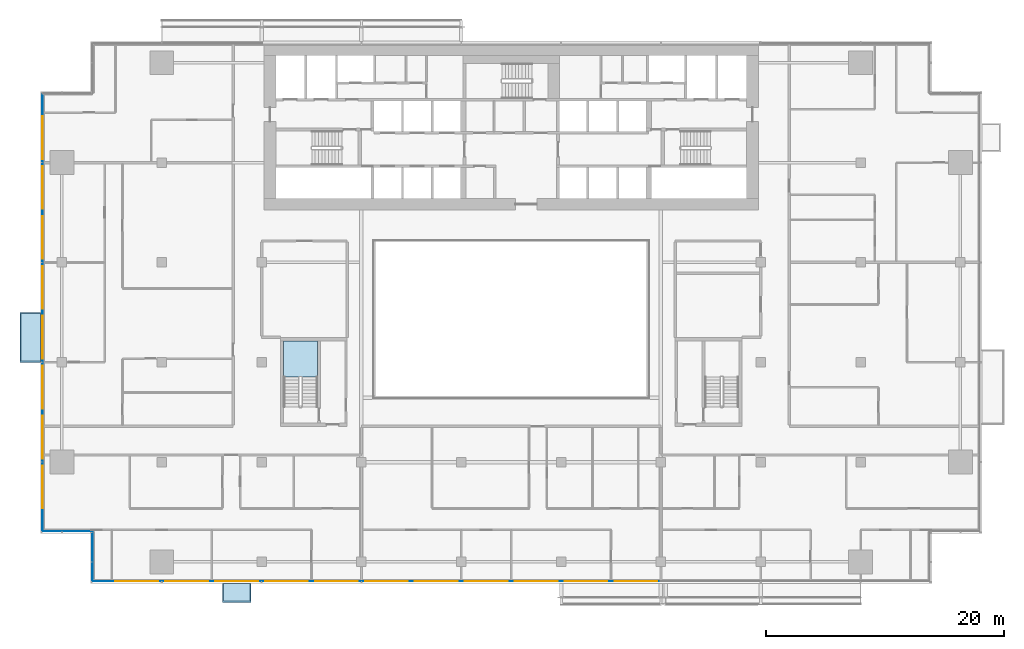
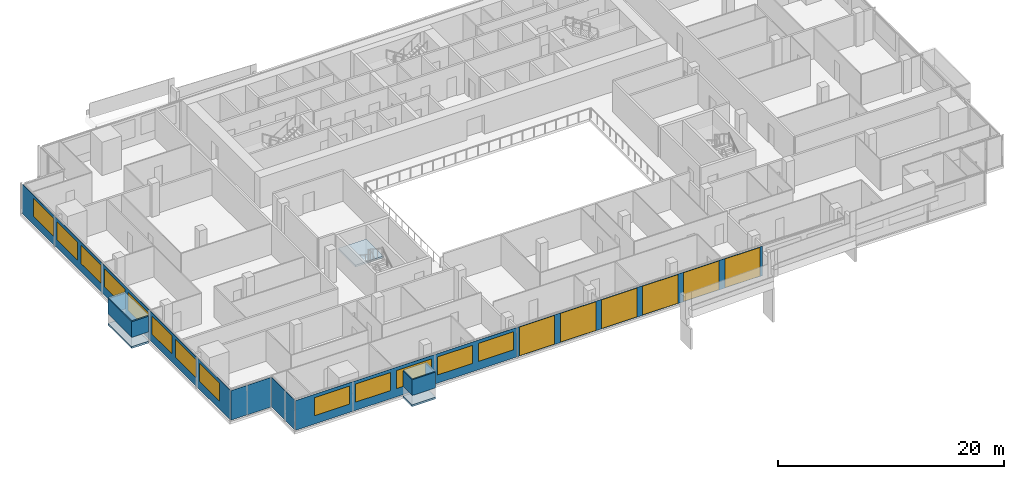
# One storey, part 14 of 27: 19 windows, 9 plates, 3 slabs, 19 openings, 5 elements without a shape of their own.
"""IFC4 building model written with IfcOpenShell, lengths in metres."""

import ifcopenshell
import ifcopenshell.guid

model = None  # the IFC model being written
_history = None  # IfcOwnerHistory: only IFC2X3 demands one
_inside = {}  # id of a spatial element -> (the spatial element, [elements in it])
_under = {}  # id of a project, library or spatial element -> (it, [spatial elements below it])
_declared = {}  # id of a project -> (the project, [libraries it declares])
_typed = {}  # id of a type object -> (the type object, [elements of that type])
_made_of = {}  # id of a material, layer set ... -> (it, [elements and type objects made of it])


def new_model(schema):
    """Start an empty IFC model of exactly this schema.

    Asked for "IFC4X3", IfcOpenShell would pick the latest addendum, in which some entities
    have other attributes; the version numbers below select the first issue.
    IFC2X3 requires an IfcOwnerHistory on every rooted entity: one is made here for all.
    """
    global model, _history
    if schema == "IFC4X3":
        model = ifcopenshell.file(schema_version=(4, 3, 0, 0))
    else:
        model = ifcopenshell.file(schema=schema)
    _inside.clear()
    _under.clear()
    _declared.clear()
    _typed.clear()
    _made_of.clear()
    _history = None
    if model.schema == "IFC2X3":
        org = make("IfcOrganization", Name="unknown")
        user = make(
            "IfcPersonAndOrganization",
            ThePerson=make("IfcPerson", FamilyName="unknown"),
            TheOrganization=org,
        )
        app = make(
            "IfcApplication",
            ApplicationDeveloper=org,
            Version="unknown",
            ApplicationFullName="unknown",
            ApplicationIdentifier="unknown",
        )
        _history = make(
            "IfcOwnerHistory",
            OwningUser=user,
            OwningApplication=app,
            ChangeAction="ADDED",
            CreationDate=0,
        )
    return model


def make(cls, **values):
    """One entity of the class cls with the attributes given. An attribute that is None is left unset."""
    return model.create_entity(
        cls, **{name: value for name, value in values.items() if value is not None}
    )


def rooted(cls, **values):
    """An entity with a GlobalId (a new one), such as an element, a storey or a relation."""
    return make(cls, GlobalId=ifcopenshell.guid.new(), OwnerHistory=_history, **values)


def si_unit(unit_type, name, prefix=None):
    """IfcSIUnit, for example si_unit("LENGTHUNIT", "METRE", prefix="MILLI")."""
    return make("IfcSIUnit", UnitType=unit_type, Prefix=prefix, Name=name)


def assignment(units):
    """IfcUnitAssignment: the units of a project."""
    return None if units is None else make("IfcUnitAssignment", Units=units)


def point(xyz):
    """IfcCartesianPoint."""
    return None if xyz is None else make("IfcCartesianPoint", Coordinates=xyz)


def direction(xyz):
    """IfcDirection."""
    return None if xyz is None else make("IfcDirection", DirectionRatios=xyz)


def frame(location, z_axis=None, x_axis=None):
    """IfcAxis2Placement3D, a coordinate frame: its origin and axes. An axis left out is left unset."""
    return make(
        "IfcAxis2Placement3D",
        Location=point(location),
        Axis=direction(z_axis),
        RefDirection=direction(x_axis),
    )


def frame_2d(location, x_axis=None):
    """IfcAxis2Placement2D, a coordinate frame in the plane: its origin and x axis."""
    return make(
        "IfcAxis2Placement2D", Location=point(location), RefDirection=direction(x_axis)
    )


def origin():
    """The frame at (0, 0, 0) with its axes left unset."""
    return frame((0.0, 0.0, 0.0))


def place(relative_to, where):
    """IfcLocalPlacement: puts the frame where relative to a parent placement (None: the world)."""
    return make(
        "IfcLocalPlacement", PlacementRelTo=relative_to, RelativePlacement=where
    )


def context(
    kind, dimensions, precision=None, world=None, true_north=None, identifier=None
):
    """IfcGeometricRepresentationContext, for example the 3D "Model" context."""
    return make(
        "IfcGeometricRepresentationContext",
        ContextIdentifier=identifier,
        ContextType=kind,
        CoordinateSpaceDimension=dimensions,
        Precision=precision,
        WorldCoordinateSystem=world,
        TrueNorth=true_north,
    )


def subcontext(parent, identifier, kind, view, scale=None):
    """IfcGeometricRepresentationSubContext, for example "Body" below "Model"."""
    return make(
        "IfcGeometricRepresentationSubContext",
        ContextIdentifier=identifier,
        ContextType=kind,
        ParentContext=parent,
        TargetScale=scale,
        TargetView=view,
    )


def project(units=None, contexts=None):
    """IfcProject with its units and contexts."""
    return rooted(
        "IfcProject",
        Name="project",
        RepresentationContexts=contexts,
        UnitsInContext=assignment(units),
    )


def spatial(cls, under=None, at=None, **own):
    """A site, building, storey or space (cls), placed at a placement, below another one or the project."""
    s = rooted(cls, ObjectPlacement=at, **own)
    if under is not None:
        _under.setdefault(under.id(), (under, []))[1].append(s)
    return s


def polyline(points):
    """IfcPolyline through the points."""
    return make("IfcPolyline", Points=[point(p) for p in points])


def profile(cls, at=None, kind="AREA", **sizes):
    """A parametric profile (cls). Its sizes go by their IFC names, for example OverallWidth=200.0."""
    return make(cls, ProfileType=kind, Position=at, **sizes)


def rectangle(**sizes):
    """IfcRectangleProfileDef."""
    return profile("IfcRectangleProfileDef", **sizes)


def outline(outer, holes=None, kind="AREA"):
    """IfcArbitraryClosedProfileDef: a profile drawn as a closed curve; with holes, ...WithVoids."""
    if holes is None:
        return make("IfcArbitraryClosedProfileDef", ProfileType=kind, OuterCurve=outer)
    return make(
        "IfcArbitraryProfileDefWithVoids",
        ProfileType=kind,
        OuterCurve=outer,
        InnerCurves=holes,
    )


def extrude(swept, where, along, depth):
    """IfcExtrudedAreaSolid: the profile swept, set in the frame where, extruded along a direction by depth."""
    return make(
        "IfcExtrudedAreaSolid",
        SweptArea=swept,
        Position=where,
        ExtrudedDirection=direction(along),
        Depth=depth,
    )


def shape(context_of_items, identifier, shape_type, items):
    """IfcShapeRepresentation: the items that make up one representation, for example the "Body"."""
    return make(
        "IfcShapeRepresentation",
        ContextOfItems=context_of_items,
        RepresentationIdentifier=identifier,
        RepresentationType=shape_type,
        Items=items,
    )


def material(Name=None, Category=None):
    """IfcMaterial."""
    return make("IfcMaterial", Name=Name, Category=Category)


def layer(
    of_material, thickness, ventilated=None, Name=None, Category=None, Priority=None
):
    """IfcMaterialLayer: one layer of a wall or slab, of a material (None: an air gap)."""
    return make(
        "IfcMaterialLayer",
        Material=of_material,
        LayerThickness=thickness,
        IsVentilated=ventilated,
        Name=Name,
        Category=Category,
        Priority=Priority,
    )


def layer_set(layers, Name=None):
    """IfcMaterialLayerSet."""
    return make("IfcMaterialLayerSet", MaterialLayers=layers, LayerSetName=Name)


def made_of(thing, what):
    """Note that an element or type object is made of a material, layer set ...; save() writes the relation."""
    if what is not None:
        _made_of.setdefault(what.id(), (what, []))[1].append(thing)
    return thing


def type_object(cls, material=None, **own):
    """A type object (cls), such as IfcWallType, which elements share."""
    return made_of(rooted(cls, **own), material)


def element(
    cls,
    number,
    at=None,
    inside=None,
    cuts=None,
    type_object=None,
    material=None,
    context=None,
    identifier="Body",
    shape_type=None,
    held_by="IfcProductDefinitionShape",
    body=None,
    shapes=None,
    **own,
):
    """One element of the class cls, such as IfcWall. Its Tag is "e" and its number.

    at: its placement. inside: the storey or other place that contains it. cuts: it is an
    opening in that element (IfcRelVoidsElement). A single representation is given by context,
    identifier, shape_type and body (its items); several are given by shapes. held_by: the class
    of the entity that holds the representations. save() writes the other relations.
    """
    e = rooted(cls, Tag="e%d" % number, ObjectPlacement=at, **own)
    if body is not None:
        shapes = [shape(context, identifier, shape_type, body)]
    if shapes is not None:
        e.Representation = make(held_by, Representations=shapes)
    if inside is not None:
        _inside.setdefault(inside.id(), (inside, []))[1].append(e)
    if cuts is not None:
        rooted(
            "IfcRelVoidsElement", RelatingBuildingElement=cuts, RelatedOpeningElement=e
        )
    if type_object is not None:
        _typed.setdefault(type_object.id(), (type_object, []))[1].append(e)
    return made_of(e, material)


def fill(opening, filler):
    """IfcRelFillsElement: the door or window that sits in an opening."""
    return rooted(
        "IfcRelFillsElement",
        RelatingOpeningElement=opening,
        RelatedBuildingElement=filler,
    )


def aggregate(whole, parts):
    """IfcRelAggregates: a whole, such as a stair, and the parts it consists of."""
    return rooted("IfcRelAggregates", RelatingObject=whole, RelatedObjects=parts)


def save(model, path):
    """Write the relations noted so far, then the file.

    IfcRelAggregates (storeys below a building ...), IfcRelContainedInSpatialStructure (elements
    in a storey), IfcRelDefinesByType, IfcRelAssociatesMaterial and IfcRelDeclares: one each for
    every whole, place, type object, material and project.
    """
    for whole, parts in _under.values():
        aggregate(whole, parts)
    for where, things in _inside.values():
        rooted(
            "IfcRelContainedInSpatialStructure",
            RelatedElements=things,
            RelatingStructure=where,
        )
    for kind, things in _typed.values():
        rooted("IfcRelDefinesByType", RelatedObjects=things, RelatingType=kind)
    for what, things in _made_of.values():
        rooted("IfcRelAssociatesMaterial", RelatedObjects=things, RelatingMaterial=what)
    for by, libraries in _declared.values():
        rooted("IfcRelDeclares", RelatingContext=by, RelatedDefinitions=libraries)
    model.write(path)


model = new_model("IFC4")

# Units and contexts
model_context = context("Model", 3, precision=1e-05, world=origin(), true_north=direction((0.0, 1.0)))
body_context = subcontext(model_context, "Body", "Model", "MODEL_VIEW")
ifc_project = project(units=[si_unit("LENGTHUNIT", "METRE"), si_unit("AREAUNIT", "SQUARE_METRE"), si_unit("VOLUMEUNIT", "CUBIC_METRE"), si_unit("PLANEANGLEUNIT", "RADIAN"), si_unit("MASSUNIT", "GRAM", prefix="KILO")], contexts=[model_context])

# Site, building, storey
site_placement = place(None, origin())
site = spatial("IfcSite", under=ifc_project, at=site_placement, CompositionType="ELEMENT")
building_placement = place(site_placement, origin())
building = spatial("IfcBuilding", under=site, at=building_placement, Name="Saffron Gate Tower", CompositionType="ELEMENT")
storey_placement = place(building_placement, frame((0.0, 0.0, 124.050048828125)))
storey = spatial("IfcBuildingStorey", under=building, at=storey_placement, Name="L29", CompositionType="ELEMENT", Elevation=124.050048828125)

# Curtain wall, plates, openings, windows
ifc_material_1 = material(Name="Aluminium, bronze anodised", Category="aluminium")
curtain_wall_type_1 = type_object("IfcCurtainWallType", Name="CWS1 curtain wall front facade", PredefinedType="NOTDEFINED", material=ifc_material_1)
curtain_wall_1_placement = place(storey_placement, origin())
curtain_wall_1 = element("IfcCurtainWall", 1, at=curtain_wall_1_placement, inside=storey, type_object=curtain_wall_type_1, Name="CWS1 run 1", PredefinedType="NOTDEFINED")
ifc_material_2 = material(Name="Clear low-iron laminated glass", Category="glass")
ifc_layer_1 = layer(ifc_material_2, 0.028076171875)
ifc_layer_set_1 = layer_set([ifc_layer_1], Name="CWS1 clear glass")
plate_type_1 = type_object("IfcPlateType", Name="CWS1 clear glass", PredefinedType="CURTAIN_PANEL", material=ifc_layer_set_1)
plate_1_placement = place(storey_placement, frame((75.030029296875, 30.174072265625, 0.0), z_axis=(0.0, 0.0, 1.0), x_axis=(1.0, 0.0, 0.0)))
plate_1 = element("IfcPlate", 2, at=plate_1_placement, type_object=plate_type_1, Name="CWS1 clear glass panel", PredefinedType="CURTAIN_PANEL", context=body_context, shape_type="SweptSolid", body=[
    extrude(rectangle(XDim=25.139892578125, YDim=0.028076171875, at=frame_2d((12.56982421875, 0.0))), origin(), (0.0, 0.0, 1.0), 3.199951171875),
])
opening_1_placement = place(plate_1_placement, frame((0.27001953125, 0.0, 0.050048828125)))
opening_1 = element("IfcOpeningElement", 3, at=opening_1_placement, cuts=plate_1, Name="Opening WA", PredefinedType="OPENING", context=body_context, shape_type="SweptSolid", body=[
    extrude(rectangle(XDim=3.60009765625, YDim=3.10009765625, at=frame_2d((1.800048828125, 1.550048828125))), frame((0.0, 0.02392578125, 0.0), z_axis=(0.0, -1.0, 0.0), x_axis=(1.0, 0.0, 0.0)), (0.0, 0.0, 1.0), 0.048095703125),
])
opening_2_placement = place(plate_1_placement, frame((4.469970703125, 0.0, 0.050048828125)))
opening_2 = element("IfcOpeningElement", 4, at=opening_2_placement, cuts=plate_1, Name="Opening WA", PredefinedType="OPENING", context=body_context, shape_type="SweptSolid", body=[
    extrude(rectangle(XDim=3.60009765625, YDim=3.10009765625, at=frame_2d((1.800048828125, 1.550048828125))), frame((0.0, 0.02392578125, 0.0), z_axis=(0.0, -1.0, 0.0), x_axis=(1.0, 0.0, 0.0)), (0.0, 0.0, 1.0), 0.048095703125),
])
opening_3_placement = place(plate_1_placement, frame((8.669921875, 0.0, 0.050048828125)))
opening_3 = element("IfcOpeningElement", 5, at=opening_3_placement, cuts=plate_1, Name="Opening WA", PredefinedType="OPENING", context=body_context, shape_type="SweptSolid", body=[
    extrude(rectangle(XDim=3.60009765625, YDim=3.10009765625, at=frame_2d((1.800048828125, 1.550048828125))), frame((0.0, 0.02392578125, 0.0), z_axis=(0.0, -1.0, 0.0), x_axis=(1.0, 0.0, 0.0)), (0.0, 0.0, 1.0), 0.048095703125),
])
opening_4_placement = place(plate_1_placement, frame((12.8701171875, 0.0, 0.050048828125)))
opening_4 = element("IfcOpeningElement", 6, at=opening_4_placement, cuts=plate_1, Name="Opening WA", PredefinedType="OPENING", context=body_context, shape_type="SweptSolid", body=[
    extrude(rectangle(XDim=3.60009765625, YDim=3.10009765625, at=frame_2d((1.800048828125, 1.550048828125))), frame((0.0, 0.02392578125, 0.0), z_axis=(0.0, -1.0, 0.0), x_axis=(1.0, 0.0, 0.0)), (0.0, 0.0, 1.0), 0.048095703125),
])
opening_5_placement = place(plate_1_placement, frame((17.070068359375, 0.0, 0.050048828125)))
opening_5 = element("IfcOpeningElement", 7, at=opening_5_placement, cuts=plate_1, Name="Opening WA", PredefinedType="OPENING", context=body_context, shape_type="SweptSolid", body=[
    extrude(rectangle(XDim=3.60009765625, YDim=3.10009765625, at=frame_2d((1.800048828125, 1.550048828125))), frame((0.0, 0.02392578125, 0.0), z_axis=(0.0, -1.0, 0.0), x_axis=(1.0, 0.0, 0.0)), (0.0, 0.0, 1.0), 0.048095703125),
])
opening_6_placement = place(plate_1_placement, frame((21.27001953125, 0.0, 0.050048828125)))
opening_6 = element("IfcOpeningElement", 8, at=opening_6_placement, cuts=plate_1, Name="Opening WA", PredefinedType="OPENING", context=body_context, shape_type="SweptSolid", body=[
    extrude(rectangle(XDim=3.60009765625, YDim=3.10009765625, at=frame_2d((1.800048828125, 1.550048828125))), frame((0.0, 0.02392578125, 0.0), z_axis=(0.0, -1.0, 0.0), x_axis=(1.0, 0.0, 0.0)), (0.0, 0.0, 1.0), 0.048095703125),
])
ifc_material_3 = material(Name="Clear low-iron laminated glass in bronze frame", Category="glass")
ifc_layer_2 = layer(ifc_material_3, 0.06005859375)
ifc_layer_set_2 = layer_set([ifc_layer_2], Name="WA operable atrium unit 3600x3100")
window_type_1 = type_object("IfcWindowType", Name="WA operable atrium unit 3600x3100", PartitioningType="DOUBLE_PANEL_HORIZONTAL", PredefinedType="WINDOW", material=ifc_layer_set_2)
window_1_placement = place(opening_1_placement, origin())
window_1 = element("IfcWindow", 9, at=window_1_placement, type_object=window_type_1, Name="WA operable atrium unit", OverallHeight=3.10009765625, OverallWidth=3.60009765625, PartitioningType="SINGLE_PANEL", PredefinedType="WINDOW", context=body_context, shape_type="SweptSolid", body=[
    extrude(rectangle(XDim=3.60009765625, YDim=3.10009765625, at=frame_2d((1.800048828125, 1.550048828125))), frame((0.0, 0.013671875, 0.0), z_axis=(0.0, -1.0, 0.0), x_axis=(1.0, 0.0, 0.0)), (0.0, 0.0, 1.0), 0.027587890625),
])
fill(opening_1, window_1)
window_2_placement = place(opening_2_placement, origin())
window_2 = element("IfcWindow", 10, at=window_2_placement, type_object=window_type_1, Name="WA operable atrium unit", OverallHeight=3.10009765625, OverallWidth=3.60009765625, PartitioningType="SINGLE_PANEL", PredefinedType="WINDOW", context=body_context, shape_type="SweptSolid", body=[
    extrude(rectangle(XDim=3.60009765625, YDim=3.10009765625, at=frame_2d((1.800048828125, 1.550048828125))), frame((0.0, 0.013671875, 0.0), z_axis=(0.0, -1.0, 0.0), x_axis=(1.0, 0.0, 0.0)), (0.0, 0.0, 1.0), 0.027587890625),
])
fill(opening_2, window_2)
window_3_placement = place(opening_3_placement, origin())
window_3 = element("IfcWindow", 11, at=window_3_placement, type_object=window_type_1, Name="WA operable atrium unit", OverallHeight=3.10009765625, OverallWidth=3.60009765625, PartitioningType="SINGLE_PANEL", PredefinedType="WINDOW", context=body_context, shape_type="SweptSolid", body=[
    extrude(rectangle(XDim=3.60009765625, YDim=3.10009765625, at=frame_2d((1.800048828125, 1.550048828125))), frame((0.0, 0.013671875, 0.0), z_axis=(0.0, -1.0, 0.0), x_axis=(1.0, 0.0, 0.0)), (0.0, 0.0, 1.0), 0.027587890625),
])
fill(opening_3, window_3)
window_4_placement = place(opening_4_placement, origin())
window_4 = element("IfcWindow", 12, at=window_4_placement, type_object=window_type_1, Name="WA operable atrium unit", OverallHeight=3.10009765625, OverallWidth=3.60009765625, PartitioningType="SINGLE_PANEL", PredefinedType="WINDOW", context=body_context, shape_type="SweptSolid", body=[
    extrude(rectangle(XDim=3.60009765625, YDim=3.10009765625, at=frame_2d((1.800048828125, 1.550048828125))), frame((0.0, 0.013671875, 0.0), z_axis=(0.0, -1.0, 0.0), x_axis=(1.0, 0.0, 0.0)), (0.0, 0.0, 1.0), 0.027587890625),
])
fill(opening_4, window_4)
window_5_placement = place(opening_5_placement, origin())
window_5 = element("IfcWindow", 13, at=window_5_placement, type_object=window_type_1, Name="WA operable atrium unit", OverallHeight=3.10009765625, OverallWidth=3.60009765625, PartitioningType="SINGLE_PANEL", PredefinedType="WINDOW", context=body_context, shape_type="SweptSolid", body=[
    extrude(rectangle(XDim=3.60009765625, YDim=3.10009765625, at=frame_2d((1.800048828125, 1.550048828125))), frame((0.0, 0.013671875, 0.0), z_axis=(0.0, -1.0, 0.0), x_axis=(1.0, 0.0, 0.0)), (0.0, 0.0, 1.0), 0.027587890625),
])
fill(opening_5, window_5)
window_6_placement = place(opening_6_placement, origin())
window_6 = element("IfcWindow", 14, at=window_6_placement, type_object=window_type_1, Name="WA operable atrium unit", OverallHeight=3.10009765625, OverallWidth=3.60009765625, PartitioningType="SINGLE_PANEL", PredefinedType="WINDOW", context=body_context, shape_type="SweptSolid", body=[
    extrude(rectangle(XDim=3.60009765625, YDim=3.10009765625, at=frame_2d((1.800048828125, 1.550048828125))), frame((0.0, 0.013671875, 0.0), z_axis=(0.0, -1.0, 0.0), x_axis=(1.0, 0.0, 0.0)), (0.0, 0.0, 1.0), 0.027587890625),
])
fill(opening_6, window_6)
ifc_material_4 = material(Name="Fritted bronze-tinted laminated glass", Category="glass")
ifc_layer_3 = layer(ifc_material_4, 0.028076171875)
ifc_layer_set_3 = layer_set([ifc_layer_3], Name="CWS1 fixed glass")
plate_type_2 = type_object("IfcPlateType", Name="CWS1 fixed glass", PredefinedType="CURTAIN_PANEL", material=ifc_layer_set_3)
plate_2_placement = place(storey_placement, frame((52.387939453125, 30.174072265625, 0.0), z_axis=(0.0, 0.0, 1.0), x_axis=(1.0, 0.0, 0.0)))
plate_2 = element("IfcPlate", 15, at=plate_2_placement, type_object=plate_type_2, Name="CWS1 glass panel", PredefinedType="CURTAIN_PANEL", context=body_context, shape_type="SweptSolid", body=[
    extrude(rectangle(XDim=22.64208984375, YDim=0.028076171875, at=frame_2d((11.321044921875, 0.0))), origin(), (0.0, 0.0, 1.0), 3.199951171875),
])
opening_7_placement = place(plate_2_placement, frame((1.912109375, 0.0, 0.89990234375)))
opening_7 = element("IfcOpeningElement", 16, at=opening_7_placement, cuts=plate_2, Name="Opening W1", PredefinedType="OPENING", context=body_context, shape_type="SweptSolid", body=[
    extrude(rectangle(XDim=3.60009765625, YDim=1.949951171875, at=frame_2d((1.800048828125, 0.97509765625))), frame((0.0, 0.02392578125, 0.0), z_axis=(0.0, -1.0, 0.0), x_axis=(1.0, 0.0, 0.0)), (0.0, 0.0, 1.0), 0.048095703125),
])
opening_8_placement = place(plate_2_placement, frame((6.112060546875, 0.0, 0.89990234375)))
opening_8 = element("IfcOpeningElement", 17, at=opening_8_placement, cuts=plate_2, Name="Opening W1", PredefinedType="OPENING", context=body_context, shape_type="SweptSolid", body=[
    extrude(rectangle(XDim=3.60009765625, YDim=1.949951171875, at=frame_2d((1.800048828125, 0.97509765625))), frame((0.0, 0.02392578125, 0.0), z_axis=(0.0, -1.0, 0.0), x_axis=(1.0, 0.0, 0.0)), (0.0, 0.0, 1.0), 0.048095703125),
])
opening_9_placement = place(plate_2_placement, frame((10.31201171875, 0.0, 0.89990234375)))
opening_9 = element("IfcOpeningElement", 18, at=opening_9_placement, cuts=plate_2, Name="Opening W1", PredefinedType="OPENING", context=body_context, shape_type="SweptSolid", body=[
    extrude(rectangle(XDim=3.60009765625, YDim=1.949951171875, at=frame_2d((1.800048828125, 0.97509765625))), frame((0.0, 0.02392578125, 0.0), z_axis=(0.0, -1.0, 0.0), x_axis=(1.0, 0.0, 0.0)), (0.0, 0.0, 1.0), 0.048095703125),
])
opening_10_placement = place(plate_2_placement, frame((14.511962890625, 0.0, 0.89990234375)))
opening_10 = element("IfcOpeningElement", 19, at=opening_10_placement, cuts=plate_2, Name="Opening W1", PredefinedType="OPENING", context=body_context, shape_type="SweptSolid", body=[
    extrude(rectangle(XDim=3.60009765625, YDim=1.949951171875, at=frame_2d((1.800048828125, 0.97509765625))), frame((0.0, 0.02392578125, 0.0), z_axis=(0.0, -1.0, 0.0), x_axis=(1.0, 0.0, 0.0)), (0.0, 0.0, 1.0), 0.048095703125),
])
opening_11_placement = place(plate_2_placement, frame((18.7119140625, 0.0, 0.89990234375)))
opening_11 = element("IfcOpeningElement", 20, at=opening_11_placement, cuts=plate_2, Name="Opening W1", PredefinedType="OPENING", context=body_context, shape_type="SweptSolid", body=[
    extrude(rectangle(XDim=3.60009765625, YDim=1.949951171875, at=frame_2d((1.800048828125, 0.97509765625))), frame((0.0, 0.02392578125, 0.0), z_axis=(0.0, -1.0, 0.0), x_axis=(1.0, 0.0, 0.0)), (0.0, 0.0, 1.0), 0.048095703125),
])
ifc_material_5 = material(Name="Fritted bronze-tinted laminated glass in bronze frame", Category="glass")
ifc_layer_4 = layer(ifc_material_5, 0.06005859375)
ifc_layer_set_4 = layer_set([ifc_layer_4], Name="W1 operable panel 3600x1950")
window_type_2 = type_object("IfcWindowType", Name="W1 operable panel 3600x1950", PartitioningType="DOUBLE_PANEL_HORIZONTAL", PredefinedType="WINDOW", material=ifc_layer_set_4)
window_7_placement = place(opening_7_placement, origin())
window_7 = element("IfcWindow", 21, at=window_7_placement, type_object=window_type_2, Name="W1 operable panel", OverallHeight=1.949951171875, OverallWidth=3.60009765625, PartitioningType="SINGLE_PANEL", PredefinedType="WINDOW", context=body_context, shape_type="SweptSolid", body=[
    extrude(rectangle(XDim=3.60009765625, YDim=1.949951171875, at=frame_2d((1.800048828125, 0.97509765625))), frame((0.0, 0.013671875, 0.0), z_axis=(0.0, -1.0, 0.0), x_axis=(1.0, 0.0, 0.0)), (0.0, 0.0, 1.0), 0.027587890625),
])
fill(opening_7, window_7)
window_8_placement = place(opening_8_placement, origin())
window_8 = element("IfcWindow", 22, at=window_8_placement, type_object=window_type_2, Name="W1 operable panel", OverallHeight=1.949951171875, OverallWidth=3.60009765625, PartitioningType="SINGLE_PANEL", PredefinedType="WINDOW", context=body_context, shape_type="SweptSolid", body=[
    extrude(rectangle(XDim=3.60009765625, YDim=1.949951171875, at=frame_2d((1.800048828125, 0.97509765625))), frame((0.0, 0.013671875, 0.0), z_axis=(0.0, -1.0, 0.0), x_axis=(1.0, 0.0, 0.0)), (0.0, 0.0, 1.0), 0.027587890625),
])
fill(opening_8, window_8)
window_9_placement = place(opening_9_placement, origin())
window_9 = element("IfcWindow", 23, at=window_9_placement, type_object=window_type_2, Name="W1 operable panel", OverallHeight=1.949951171875, OverallWidth=3.60009765625, PartitioningType="SINGLE_PANEL", PredefinedType="WINDOW", context=body_context, shape_type="SweptSolid", body=[
    extrude(rectangle(XDim=3.60009765625, YDim=1.949951171875, at=frame_2d((1.800048828125, 0.97509765625))), frame((0.0, 0.013671875, 0.0), z_axis=(0.0, -1.0, 0.0), x_axis=(1.0, 0.0, 0.0)), (0.0, 0.0, 1.0), 0.027587890625),
])
fill(opening_9, window_9)
window_10_placement = place(opening_10_placement, origin())
window_10 = element("IfcWindow", 24, at=window_10_placement, type_object=window_type_2, Name="W1 operable panel", OverallHeight=1.949951171875, OverallWidth=3.60009765625, PartitioningType="SINGLE_PANEL", PredefinedType="WINDOW", context=body_context, shape_type="SweptSolid", body=[
    extrude(rectangle(XDim=3.60009765625, YDim=1.949951171875, at=frame_2d((1.800048828125, 0.97509765625))), frame((0.0, 0.013671875, 0.0), z_axis=(0.0, -1.0, 0.0), x_axis=(1.0, 0.0, 0.0)), (0.0, 0.0, 1.0), 0.027587890625),
])
fill(opening_10, window_10)
window_11_placement = place(opening_11_placement, origin())
window_11 = element("IfcWindow", 25, at=window_11_placement, type_object=window_type_2, Name="W1 operable panel", OverallHeight=1.949951171875, OverallWidth=3.60009765625, PartitioningType="SINGLE_PANEL", PredefinedType="WINDOW", context=body_context, shape_type="SweptSolid", body=[
    extrude(rectangle(XDim=3.60009765625, YDim=1.949951171875, at=frame_2d((1.800048828125, 0.97509765625))), frame((0.0, 0.013671875, 0.0), z_axis=(0.0, -1.0, 0.0), x_axis=(1.0, 0.0, 0.0)), (0.0, 0.0, 1.0), 0.027587890625),
])
fill(opening_11, window_11)
aggregate(curtain_wall_1, [plate_2, plate_1, window_7, window_8, window_9, window_10, window_11, window_1, window_2, window_3, window_4, window_5, window_6])

# Curtain wall, plate, openings, windows
curtain_wall_type_2 = type_object("IfcCurtainWallType", Name="CWS2 curtain wall side facades", PredefinedType="NOTDEFINED", material=ifc_material_1)
curtain_wall_2_placement = place(storey_placement, origin())
curtain_wall_2 = element("IfcCurtainWall", 26, at=curtain_wall_2_placement, inside=storey, type_object=curtain_wall_type_2, Name="CWS2 run 10", PredefinedType="NOTDEFINED")
ifc_layer_5 = layer(ifc_material_4, 0.028076171875)
ifc_layer_set_5 = layer_set([ifc_layer_5], Name="CWS2 fixed glass")
plate_type_3 = type_object("IfcPlateType", Name="CWS2 fixed glass", PredefinedType="CURTAIN_PANEL", material=ifc_layer_set_5)
plate_3_placement = place(storey_placement, frame((48.174072265625, 71.2119140625, 0.0), z_axis=(0.0, 0.0, 1.0), x_axis=(0.0, -1.0, 0.0)))
plate_3 = element("IfcPlate", 27, at=plate_3_placement, type_object=plate_type_3, Name="CWS2 glass panel", PredefinedType="CURTAIN_PANEL", context=body_context, shape_type="SweptSolid", body=[
    extrude(rectangle(XDim=36.823974609375, YDim=0.028076171875, at=frame_2d((18.412109375, 0.0))), origin(), (0.0, 0.0, 1.0), 3.199951171875),
])
opening_12_placement = place(plate_3_placement, frame((1.912109375, 0.0, 0.89990234375)))
opening_12 = element("IfcOpeningElement", 28, at=opening_12_placement, cuts=plate_3, Name="Opening W1", PredefinedType="OPENING", context=body_context, shape_type="SweptSolid", body=[
    extrude(rectangle(XDim=3.60009765625, YDim=1.949951171875, at=frame_2d((1.800048828125, 0.97509765625))), frame((0.0, 0.02392578125, 0.0), z_axis=(0.0, -1.0, 0.0), x_axis=(1.0, 0.0, 0.0)), (0.0, 0.0, 1.0), 0.048095703125),
])
opening_13_placement = place(plate_3_placement, frame((6.112060546875, 0.0, 0.89990234375)))
opening_13 = element("IfcOpeningElement", 29, at=opening_13_placement, cuts=plate_3, Name="Opening W1", PredefinedType="OPENING", context=body_context, shape_type="SweptSolid", body=[
    extrude(rectangle(XDim=3.60009765625, YDim=1.949951171875, at=frame_2d((1.800048828125, 0.97509765625))), frame((0.0, 0.02392578125, 0.0), z_axis=(0.0, -1.0, 0.0), x_axis=(1.0, 0.0, 0.0)), (0.0, 0.0, 1.0), 0.048095703125),
])
opening_14_placement = place(plate_3_placement, frame((10.31201171875, 0.0, 0.89990234375)))
opening_14 = element("IfcOpeningElement", 30, at=opening_14_placement, cuts=plate_3, Name="Opening W1", PredefinedType="OPENING", context=body_context, shape_type="SweptSolid", body=[
    extrude(rectangle(XDim=3.60009765625, YDim=1.949951171875, at=frame_2d((1.800048828125, 0.97509765625))), frame((0.0, 0.02392578125, 0.0), z_axis=(0.0, -1.0, 0.0), x_axis=(1.0, 0.0, 0.0)), (0.0, 0.0, 1.0), 0.048095703125),
])
opening_15_placement = place(plate_3_placement, frame((14.511962890625, 0.0, 0.89990234375)))
opening_15 = element("IfcOpeningElement", 31, at=opening_15_placement, cuts=plate_3, Name="Opening W1", PredefinedType="OPENING", context=body_context, shape_type="SweptSolid", body=[
    extrude(rectangle(XDim=3.60009765625, YDim=1.949951171875, at=frame_2d((1.800048828125, 0.97509765625))), frame((0.0, 0.02392578125, 0.0), z_axis=(0.0, -1.0, 0.0), x_axis=(1.0, 0.0, 0.0)), (0.0, 0.0, 1.0), 0.048095703125),
])
opening_16_placement = place(plate_3_placement, frame((18.7119140625, 0.0, 0.89990234375)))
opening_16 = element("IfcOpeningElement", 32, at=opening_16_placement, cuts=plate_3, Name="Opening W1", PredefinedType="OPENING", context=body_context, shape_type="SweptSolid", body=[
    extrude(rectangle(XDim=3.60009765625, YDim=1.949951171875, at=frame_2d((1.800048828125, 0.97509765625))), frame((0.0, 0.02392578125, 0.0), z_axis=(0.0, -1.0, 0.0), x_axis=(1.0, 0.0, 0.0)), (0.0, 0.0, 1.0), 0.048095703125),
])
opening_17_placement = place(plate_3_placement, frame((22.912109375, 0.0, 0.89990234375)))
opening_17 = element("IfcOpeningElement", 33, at=opening_17_placement, cuts=plate_3, Name="Opening W1", PredefinedType="OPENING", context=body_context, shape_type="SweptSolid", body=[
    extrude(rectangle(XDim=3.60009765625, YDim=1.949951171875, at=frame_2d((1.800048828125, 0.97509765625))), frame((0.0, 0.02392578125, 0.0), z_axis=(0.0, -1.0, 0.0), x_axis=(1.0, 0.0, 0.0)), (0.0, 0.0, 1.0), 0.048095703125),
])
opening_18_placement = place(plate_3_placement, frame((27.112060546875, 0.0, 0.89990234375)))
opening_18 = element("IfcOpeningElement", 34, at=opening_18_placement, cuts=plate_3, Name="Opening W1", PredefinedType="OPENING", context=body_context, shape_type="SweptSolid", body=[
    extrude(rectangle(XDim=3.60009765625, YDim=1.949951171875, at=frame_2d((1.800048828125, 0.97509765625))), frame((0.0, 0.02392578125, 0.0), z_axis=(0.0, -1.0, 0.0), x_axis=(1.0, 0.0, 0.0)), (0.0, 0.0, 1.0), 0.048095703125),
])
opening_19_placement = place(plate_3_placement, frame((31.31201171875, 0.0, 0.89990234375)))
opening_19 = element("IfcOpeningElement", 35, at=opening_19_placement, cuts=plate_3, Name="Opening W1", PredefinedType="OPENING", context=body_context, shape_type="SweptSolid", body=[
    extrude(rectangle(XDim=3.60009765625, YDim=1.949951171875, at=frame_2d((1.800048828125, 0.97509765625))), frame((0.0, 0.02392578125, 0.0), z_axis=(0.0, -1.0, 0.0), x_axis=(1.0, 0.0, 0.0)), (0.0, 0.0, 1.0), 0.048095703125),
])
window_12_placement = place(opening_12_placement, origin())
window_12 = element("IfcWindow", 36, at=window_12_placement, type_object=window_type_2, Name="W1 operable panel", OverallHeight=1.949951171875, OverallWidth=3.60009765625, PartitioningType="SINGLE_PANEL", PredefinedType="WINDOW", context=body_context, shape_type="SweptSolid", body=[
    extrude(rectangle(XDim=3.60009765625, YDim=1.949951171875, at=frame_2d((1.800048828125, 0.97509765625))), frame((0.0, 0.013671875, 0.0), z_axis=(0.0, -1.0, 0.0), x_axis=(1.0, 0.0, 0.0)), (0.0, 0.0, 1.0), 0.027587890625),
])
fill(opening_12, window_12)
window_13_placement = place(opening_13_placement, origin())
window_13 = element("IfcWindow", 37, at=window_13_placement, type_object=window_type_2, Name="W1 operable panel", OverallHeight=1.949951171875, OverallWidth=3.60009765625, PartitioningType="SINGLE_PANEL", PredefinedType="WINDOW", context=body_context, shape_type="SweptSolid", body=[
    extrude(rectangle(XDim=3.60009765625, YDim=1.949951171875, at=frame_2d((1.800048828125, 0.97509765625))), frame((0.0, 0.013671875, 0.0), z_axis=(0.0, -1.0, 0.0), x_axis=(1.0, 0.0, 0.0)), (0.0, 0.0, 1.0), 0.027587890625),
])
fill(opening_13, window_13)
window_14_placement = place(opening_14_placement, origin())
window_14 = element("IfcWindow", 38, at=window_14_placement, type_object=window_type_2, Name="W1 operable panel", OverallHeight=1.949951171875, OverallWidth=3.60009765625, PartitioningType="SINGLE_PANEL", PredefinedType="WINDOW", context=body_context, shape_type="SweptSolid", body=[
    extrude(rectangle(XDim=3.60009765625, YDim=1.949951171875, at=frame_2d((1.800048828125, 0.97509765625))), frame((0.0, 0.013671875, 0.0), z_axis=(0.0, -1.0, 0.0), x_axis=(1.0, 0.0, 0.0)), (0.0, 0.0, 1.0), 0.027587890625),
])
fill(opening_14, window_14)
window_15_placement = place(opening_15_placement, origin())
window_15 = element("IfcWindow", 39, at=window_15_placement, type_object=window_type_2, Name="W1 operable panel", OverallHeight=1.949951171875, OverallWidth=3.60009765625, PartitioningType="SINGLE_PANEL", PredefinedType="WINDOW", context=body_context, shape_type="SweptSolid", body=[
    extrude(rectangle(XDim=3.60009765625, YDim=1.949951171875, at=frame_2d((1.800048828125, 0.97509765625))), frame((0.0, 0.013671875, 0.0), z_axis=(0.0, -1.0, 0.0), x_axis=(1.0, 0.0, 0.0)), (0.0, 0.0, 1.0), 0.027587890625),
])
fill(opening_15, window_15)
window_16_placement = place(opening_16_placement, origin())
window_16 = element("IfcWindow", 40, at=window_16_placement, type_object=window_type_2, Name="W1 operable panel", OverallHeight=1.949951171875, OverallWidth=3.60009765625, PartitioningType="SINGLE_PANEL", PredefinedType="WINDOW", context=body_context, shape_type="SweptSolid", body=[
    extrude(rectangle(XDim=3.60009765625, YDim=1.949951171875, at=frame_2d((1.800048828125, 0.97509765625))), frame((0.0, 0.013671875, 0.0), z_axis=(0.0, -1.0, 0.0), x_axis=(1.0, 0.0, 0.0)), (0.0, 0.0, 1.0), 0.027587890625),
])
fill(opening_16, window_16)
window_17_placement = place(opening_17_placement, origin())
window_17 = element("IfcWindow", 41, at=window_17_placement, type_object=window_type_2, Name="W1 operable panel", OverallHeight=1.949951171875, OverallWidth=3.60009765625, PartitioningType="SINGLE_PANEL", PredefinedType="WINDOW", context=body_context, shape_type="SweptSolid", body=[
    extrude(rectangle(XDim=3.60009765625, YDim=1.949951171875, at=frame_2d((1.800048828125, 0.97509765625))), frame((0.0, 0.013671875, 0.0), z_axis=(0.0, -1.0, 0.0), x_axis=(1.0, 0.0, 0.0)), (0.0, 0.0, 1.0), 0.027587890625),
])
fill(opening_17, window_17)
window_18_placement = place(opening_18_placement, origin())
window_18 = element("IfcWindow", 42, at=window_18_placement, type_object=window_type_2, Name="W1 operable panel", OverallHeight=1.949951171875, OverallWidth=3.60009765625, PartitioningType="SINGLE_PANEL", PredefinedType="WINDOW", context=body_context, shape_type="SweptSolid", body=[
    extrude(rectangle(XDim=3.60009765625, YDim=1.949951171875, at=frame_2d((1.800048828125, 0.97509765625))), frame((0.0, 0.013671875, 0.0), z_axis=(0.0, -1.0, 0.0), x_axis=(1.0, 0.0, 0.0)), (0.0, 0.0, 1.0), 0.027587890625),
])
fill(opening_18, window_18)
window_19_placement = place(opening_19_placement, origin())
window_19 = element("IfcWindow", 43, at=window_19_placement, type_object=window_type_2, Name="W1 operable panel", OverallHeight=1.949951171875, OverallWidth=3.60009765625, PartitioningType="SINGLE_PANEL", PredefinedType="WINDOW", context=body_context, shape_type="SweptSolid", body=[
    extrude(rectangle(XDim=3.60009765625, YDim=1.949951171875, at=frame_2d((1.800048828125, 0.97509765625))), frame((0.0, 0.013671875, 0.0), z_axis=(0.0, -1.0, 0.0), x_axis=(1.0, 0.0, 0.0)), (0.0, 0.0, 1.0), 0.027587890625),
])
fill(opening_19, window_19)
aggregate(curtain_wall_2, [plate_3, window_12, window_13, window_14, window_15, window_16, window_17, window_18, window_19])

# Curtain wall, plate
curtain_wall_type_3 = type_object("IfcCurtainWallType", Name="CWS4 curtain wall corner returns", PredefinedType="NOTDEFINED", material=ifc_material_1)
curtain_wall_3_placement = place(storey_placement, origin())
curtain_wall_3 = element("IfcCurtainWall", 44, at=curtain_wall_3_placement, inside=storey, type_object=curtain_wall_type_3, Name="CWS4 run 11", PredefinedType="NOTDEFINED")
ifc_layer_6 = layer(ifc_material_4, 0.028076171875)
ifc_layer_set_6 = layer_set([ifc_layer_6], Name="CWS4 fixed glass")
plate_type_4 = type_object("IfcPlateType", Name="CWS4 fixed glass", PredefinedType="CURTAIN_PANEL", material=ifc_layer_set_6)
plate_4_placement = place(storey_placement, frame((48.18798828125, 34.3740234375, 0.0), z_axis=(0.0, 0.0, 1.0), x_axis=(1.0, 0.0, 0.0)))
plate_4 = element("IfcPlate", 45, at=plate_4_placement, type_object=plate_type_4, Name="CWS4 glass panel", PredefinedType="CURTAIN_PANEL", context=body_context, shape_type="SweptSolid", body=[
    extrude(rectangle(XDim=4.172119140625, YDim=0.028076171875, at=frame_2d((2.0859375, 0.0))), origin(), (0.0, 0.0, 1.0), 3.199951171875),
])
aggregate(curtain_wall_3, [plate_4])

curtain_wall_4_placement = place(storey_placement, origin())
curtain_wall_4 = element("IfcCurtainWall", 46, at=curtain_wall_4_placement, inside=storey, type_object=curtain_wall_type_3, Name="CWS4 run 12", PredefinedType="NOTDEFINED")
plate_5_placement = place(storey_placement, frame((52.3740234375, 34.360107421875, 0.0), z_axis=(0.0, 0.0, 1.0), x_axis=(0.0, -1.0, 0.0)))
plate_5 = element("IfcPlate", 47, at=plate_5_placement, type_object=plate_type_4, Name="CWS4 glass panel", PredefinedType="CURTAIN_PANEL", context=body_context, shape_type="SweptSolid", body=[
    extrude(rectangle(XDim=4.172119140625, YDim=0.028076171875, at=frame_2d((2.0859375, 0.0))), origin(), (0.0, 0.0, 1.0), 3.199951171875),
])
aggregate(curtain_wall_4, [plate_5])

# Stair, slab
ifc_material_6 = material(Name="Concrete C40", Category="concrete")
stair_type = type_object("IfcStairType", Name="ST7 Stair 1350 wide, 20 risers of 180", PredefinedType="HALF_TURN_STAIR", material=ifc_material_6)
stair_placement = place(storey_placement, origin())
stair = element("IfcStair", 48, at=stair_placement, inside=storey, type_object=stair_type, Name="L29 Exit stair D", PredefinedType="HALF_TURN_STAIR")
ifc_layer_7 = layer(ifc_material_6, 0.199951171875)
ifc_layer_set_7 = layer_set([ifc_layer_7], Name="SL1 Stair landing 200")
slab_type_1 = type_object("IfcSlabType", Name="SL1 Stair landing 200", PredefinedType="LANDING", material=ifc_layer_set_7)
slab_1_placement = place(storey_placement, frame((0.0, 0.0, 1.599853515625)))
slab_1 = element("IfcSlab", 49, at=slab_1_placement, type_object=slab_type_1, Name="ST-D landing 1", PredefinedType="LANDING", context=body_context, shape_type="SweptSolid", body=[
    extrude(outline(polyline([(71.300048828125, 47.3701171875), (71.300048828125, 50.39990234375), (68.449951171875, 50.39990234375), (68.449951171875, 47.3701171875), (71.300048828125, 47.3701171875)])), origin(), (0.0, 0.0, 1.0), 0.2001953125),
])
aggregate(stair, [slab_1])

# Slabs
ifc_material_7 = material(Name="Timber deck on bronze frame", Category="wood")
ifc_layer_8 = layer(ifc_material_7, 0.199951171875)
ifc_layer_set_8 = layer_set([ifc_layer_8], Name="WB1 box floor")
slab_type_2 = type_object("IfcSlabType", Name="WB1 box floor", PredefinedType="FLOOR", material=ifc_layer_set_8)
slab_2_placement = place(storey_placement, frame((0.0, 0.0, -0.199951171875)))
element("IfcSlab", 50, at=slab_2_placement, inside=storey, type_object=slab_type_2, Name="WINDOW BOX floor", PredefinedType="FLOOR", context=body_context, shape_type="SweptSolid", body=[
    extrude(outline(polyline([(63.300048828125, 30.0), (65.699951171875, 30.0), (65.699951171875, 28.39990234375), (63.300048828125, 28.39990234375), (63.300048828125, 30.0)])), origin(), (0.0, 0.0, 1.0), 0.199951171875),
])
slab_3_placement = place(storey_placement, frame((0.0, 0.0, -0.199951171875)))
element("IfcSlab", 51, at=slab_3_placement, inside=storey, type_object=slab_type_2, Name="WINDOW BOX floor", PredefinedType="FLOOR", context=body_context, shape_type="SweptSolid", body=[
    extrude(outline(polyline([(48.0, 52.800048828125), (48.0, 48.60009765625), (46.26708984375, 48.60009765625), (46.26708984375, 52.800048828125), (48.0, 52.800048828125)])), origin(), (0.0, 0.0, 1.0), 0.199951171875),
])

# Plates
ifc_layer_9 = layer(ifc_material_1, 0.1201171875)
ifc_layer_set_9 = layer_set([ifc_layer_9], Name="WB2 box roof")
plate_type_5 = type_object("IfcPlateType", Name="WB2 box roof", PredefinedType="SHEET", material=ifc_layer_set_9)
plate_6_placement = place(storey_placement, frame((0.0, 0.0, 2.699951171875)))
element("IfcPlate", 52, at=plate_6_placement, inside=storey, type_object=plate_type_5, Name="WINDOW BOX roof", PredefinedType="SHEET", context=body_context, shape_type="SweptSolid", body=[
    extrude(outline(polyline([(63.300048828125, 30.0), (65.699951171875, 30.0), (65.699951171875, 28.39990234375), (63.300048828125, 28.39990234375), (63.300048828125, 30.0)])), origin(), (0.0, 0.0, 1.0), 0.1201171875),
])
plate_7_placement = place(storey_placement, frame((0.0, 0.0, 2.699951171875)))
element("IfcPlate", 53, at=plate_7_placement, inside=storey, type_object=plate_type_5, Name="WINDOW BOX roof", PredefinedType="SHEET", context=body_context, shape_type="SweptSolid", body=[
    extrude(outline(polyline([(48.0, 52.800048828125), (48.0, 48.60009765625), (46.26708984375, 48.60009765625), (46.26708984375, 52.800048828125), (48.0, 52.800048828125)])), origin(), (0.0, 0.0, 1.0), 0.1201171875),
])
ifc_layer_10 = layer(ifc_material_2, 0.10009765625)
ifc_layer_set_10 = layer_set([ifc_layer_10], Name="WB6 box glazing")
plate_type_6 = type_object("IfcPlateType", Name="WB6 box glazing", PredefinedType="SHEET", material=ifc_layer_set_10)
plate_8_placement = place(storey_placement, frame((0.0, 0.0, 1.0)))
element("IfcPlate", 54, at=plate_8_placement, inside=storey, type_object=plate_type_6, Name="WINDOW BOX glazing", PredefinedType="SHEET", context=body_context, shape_type="SweptSolid", body=[
    extrude(outline(polyline([(63.300048828125, 30.0), (63.39990234375, 30.0), (63.39990234375, 28.5), (65.60009765625, 28.5), (65.60009765625, 30.0), (65.699951171875, 30.0), (65.699951171875, 28.39990234375), (63.300048828125, 28.39990234375), (63.300048828125, 30.0)])), origin(), (0.0, 0.0, 1.0), 1.699951171875),
])
plate_9_placement = place(storey_placement, frame((0.0, 0.0, 1.0)))
element("IfcPlate", 55, at=plate_9_placement, inside=storey, type_object=plate_type_6, Name="WINDOW BOX glazing", PredefinedType="SHEET", context=body_context, shape_type="SweptSolid", body=[
    extrude(outline(polyline([(48.0, 52.800048828125), (48.0, 52.699951171875), (46.366943359375, 52.699951171875), (46.366943359375, 48.699951171875), (48.0, 48.699951171875), (48.0, 48.60009765625), (46.26708984375, 48.60009765625), (46.26708984375, 52.800048828125), (48.0, 52.800048828125)])), origin(), (0.0, 0.0, 1.0), 1.699951171875),
])

save(model, "model.ifc")
